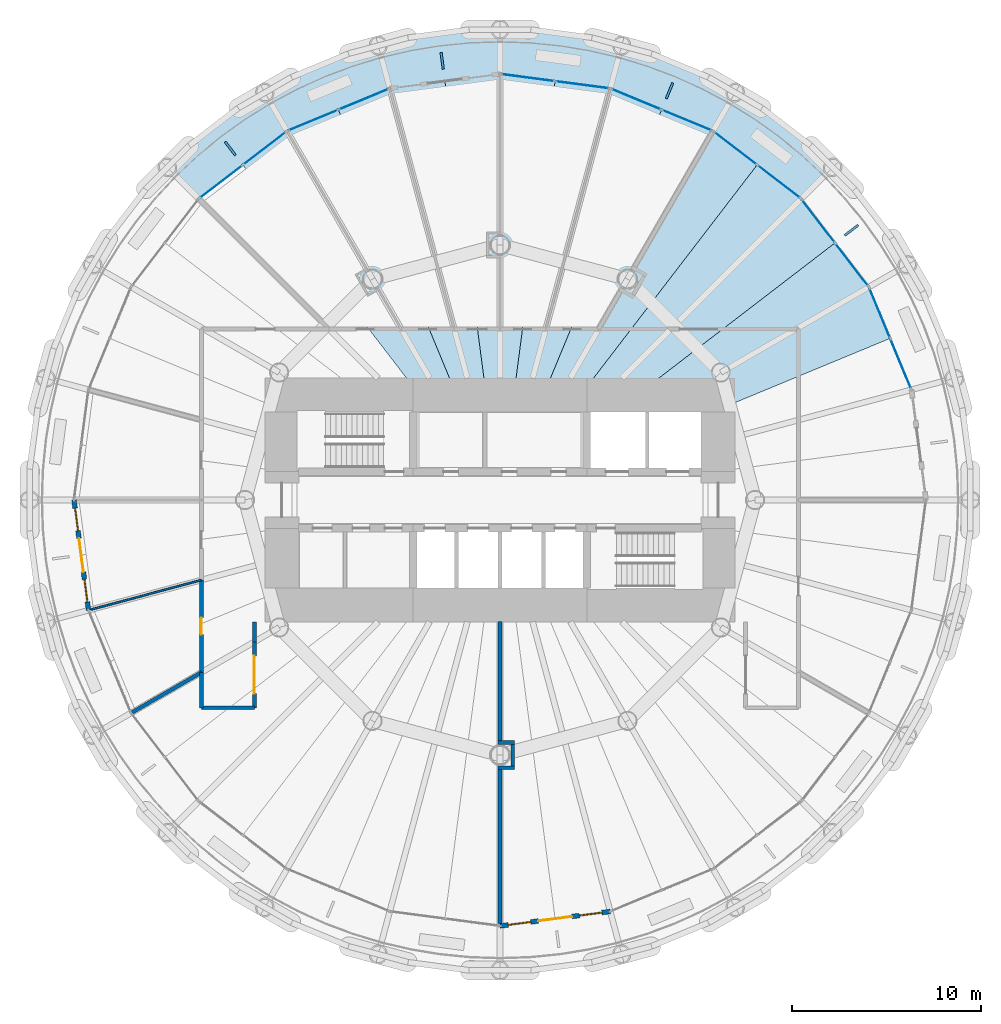
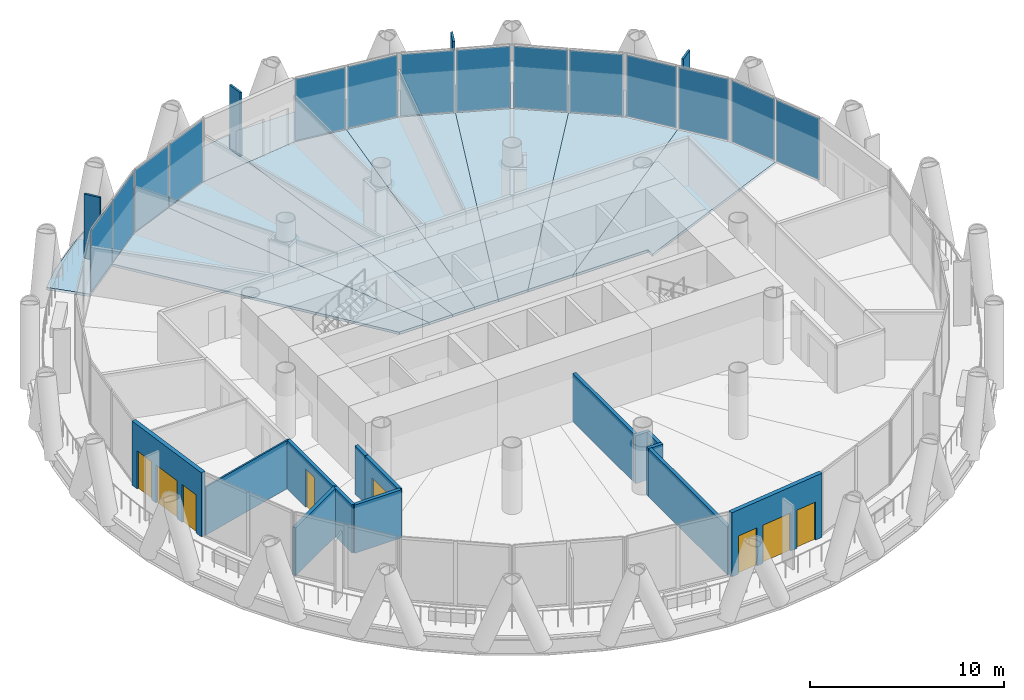
# One storey, part 9 of 16: 18 plates, 14 walls, 8 slabs, 4 doors, 4 windows, 8 openings, 7 elements without a shape of their own.
"""IFC4 building model written with IfcOpenShell, lengths in metres."""

from ifc_helpers import new_model, si_unit, direction, frame, frame_2d, origin, origin_2d, place, context, subcontext, project, spatial, polyline, rectangle, outline, extrude, material, layer, layer_set, type_object, element, fill, aggregate, save


model = new_model("IFC4")

# Units and contexts
model_context = context("Model", 3, precision=1e-05, world=origin(), true_north=direction((0.0, 1.0)))
body_context = subcontext(model_context, "Body", "Model", "MODEL_VIEW")
ifc_project = project(units=[si_unit("LENGTHUNIT", "METRE"), si_unit("AREAUNIT", "SQUARE_METRE"), si_unit("VOLUMEUNIT", "CUBIC_METRE"), si_unit("PLANEANGLEUNIT", "RADIAN"), si_unit("MASSUNIT", "GRAM", prefix="KILO")], contexts=[model_context])

# Site, building, storey
site_placement = place(None, origin())
site = spatial("IfcSite", under=ifc_project, at=site_placement, CompositionType="ELEMENT")
building_placement = place(site_placement, origin())
building = spatial("IfcBuilding", under=site, at=building_placement, Name="Qaws Media Tower", CompositionType="ELEMENT")
storey_placement = place(building_placement, frame((0.0, 0.0, 139.39990234375)))
storey = spatial("IfcBuildingStorey", under=building, at=storey_placement, Name="L31", CompositionType="ELEMENT", Elevation=139.39990234375)

# Slabs
ifc_material_1 = material(Name="Concrete C35/45", Category="concrete")
ifc_layer_1 = layer(ifc_material_1, 0.159912109375)
ifc_layer_set_1 = layer_set([ifc_layer_1], Name="Composite balcony slab 160")
slab_type_1 = type_object("IfcSlabType", Name="Composite balcony slab 160", PredefinedType="FLOOR", material=ifc_layer_set_1)
slab_1_placement = place(storey_placement, frame((0.0, 0.0, -0.159912109375)))
element("IfcSlab", 1, at=slab_1_placement, inside=storey, type_object=slab_type_1, Name="S2 balcony slab L31 R04 to R10, movement joints on R04 and R10", PredefinedType="FLOOR", context=body_context, shape_type="SweptSolid", body=[
    extrude(outline(polyline([(43.54931640625, 68.75830078125), (46.138427734375, 70.7451171875), (48.96484375, 72.376953125), (51.97998046875, 73.6259765625), (55.132568359375, 74.470703125), (58.3681640625, 74.896484375), (61.6318359375, 74.896484375), (64.867431640625, 74.470703125), (68.02001953125, 73.6259765625), (71.03515625, 72.376953125), (73.861572265625, 70.7451171875), (76.45068359375, 68.75830078125), (77.6044921875, 67.6044921875), (75.9453125, 65.9453125), (71.27490234375, 69.52880859375), (65.83642578125, 71.781494140625), (60.0, 72.550048828125), (54.16357421875, 71.781494140625), (48.72509765625, 69.52880859375), (44.0546875, 65.9453125), (42.3955078125, 67.6044921875), (43.54931640625, 68.75830078125)])), origin(), (0.0, 0.0, 1.0), 0.159912109375),
])
ifc_material_2 = material(Name="Concrete C35/45", Category="concrete")
ifc_layer_2 = layer(ifc_material_2, 0.159912109375)
ifc_layer_set_2 = layer_set([ifc_layer_2], Name="Composite floor slab 160")
slab_type_2 = type_object("IfcSlabType", Name="Composite floor slab 160", PredefinedType="FLOOR", material=ifc_layer_set_2)
slab_2_placement = place(storey_placement, frame((0.0, 0.0, -0.159912109375)))
element("IfcSlab", 2, at=slab_2_placement, inside=storey, type_object=slab_type_2, Name="S1 floor panel L31 on R03", PredefinedType="FLOOR", context=body_context, shape_type="SweptSolid", body=[
    extrude(outline(polyline([(79.52880859375, 61.27490234375), (80.6552734375, 58.5556640625), (71.0, 54.556396484375), (71.0, 55.0), (66.51611328125, 55.0), (77.737060546875, 63.610107421875), (79.52880859375, 61.27490234375)])), origin(), (0.0, 0.0, 1.0), 0.159912109375),
])
slab_3_placement = place(storey_placement, frame((0.0, 0.0, -0.159912109375)))
element("IfcSlab", 3, at=slab_3_placement, inside=storey, type_object=slab_type_2, Name="S1 floor panel L31 on R04", PredefinedType="FLOOR", context=body_context, shape_type="SweptSolid", body=[
    extrude(outline(polyline([(75.9453125, 65.9453125), (77.737060546875, 63.610107421875), (66.51611328125, 55.0), (63.836669921875, 55.0), (73.610107421875, 67.737060546875), (75.9453125, 65.9453125)])), origin(), (0.0, 0.0, 1.0), 0.159912109375),
])
slab_4_placement = place(storey_placement, frame((0.0, 0.0, -0.159912109375)))
element("IfcSlab", 4, at=slab_4_placement, inside=storey, type_object=slab_type_2, Name="S1 floor panel L31 on R05", PredefinedType="FLOOR", context=body_context, shape_type="SweptSolid", body=[
    extrude(outline(polyline([(71.27490234375, 69.52880859375), (73.610107421875, 67.737060546875), (63.836669921875, 55.0), (62.071044921875, 55.0), (68.5556640625, 70.6552734375), (71.27490234375, 69.52880859375)])), origin(), (0.0, 0.0, 1.0), 0.159912109375),
])
slab_5_placement = place(storey_placement, frame((0.0, 0.0, -0.159912109375)))
element("IfcSlab", 5, at=slab_5_placement, inside=storey, type_object=slab_type_2, Name="S1 floor panel L31 on R06", PredefinedType="FLOOR", context=body_context, shape_type="SweptSolid", body=[
    extrude(outline(polyline([(65.83642578125, 71.781494140625), (68.5556640625, 70.6552734375), (62.071044921875, 55.0), (60.658203125, 55.0), (62.918212890625, 72.165771484375), (65.83642578125, 71.781494140625)])), origin(), (0.0, 0.0, 1.0), 0.159912109375),
])
slab_6_placement = place(storey_placement, frame((0.0, 0.0, -0.159912109375)))
element("IfcSlab", 6, at=slab_6_placement, inside=storey, type_object=slab_type_2, Name="S1 floor panel L31 on R07", PredefinedType="FLOOR", context=body_context, shape_type="SweptSolid", body=[
    extrude(outline(polyline([(60.0, 72.550048828125), (62.918212890625, 72.165771484375), (60.658203125, 55.0), (59.341796875, 55.0), (57.081787109375, 72.165771484375), (60.0, 72.550048828125)])), origin(), (0.0, 0.0, 1.0), 0.159912109375),
])
slab_7_placement = place(storey_placement, frame((0.0, 0.0, -0.159912109375)))
element("IfcSlab", 7, at=slab_7_placement, inside=storey, type_object=slab_type_2, Name="S1 floor panel L31 on R08", PredefinedType="FLOOR", context=body_context, shape_type="SweptSolid", body=[
    extrude(outline(polyline([(54.16357421875, 71.781494140625), (57.081787109375, 72.165771484375), (59.341796875, 55.0), (57.928955078125, 55.0), (51.4443359375, 70.6552734375), (54.16357421875, 71.781494140625)])), origin(), (0.0, 0.0, 1.0), 0.159912109375),
])
slab_8_placement = place(storey_placement, frame((0.0, 0.0, -0.159912109375)))
element("IfcSlab", 8, at=slab_8_placement, inside=storey, type_object=slab_type_2, Name="S1 floor panel L31 on R09", PredefinedType="FLOOR", context=body_context, shape_type="SweptSolid", body=[
    extrude(outline(polyline([(48.72509765625, 69.52880859375), (51.4443359375, 70.6552734375), (57.928955078125, 55.0), (56.163330078125, 55.0), (46.389892578125, 67.737060546875), (48.72509765625, 69.52880859375)])), origin(), (0.0, 0.0, 1.0), 0.159912109375),
])

# Curtain wall, plates
ifc_material_3 = material(Name="Aluminium and clear glass", Category="aluminium")
curtain_wall_type = type_object("IfcCurtainWallType", Name="Unitised curtain wall CW-B", PredefinedType="NOTDEFINED", material=ifc_material_3)
curtain_wall_1_placement = place(storey_placement, origin())
curtain_wall_1 = element("IfcCurtainWall", 9, at=curtain_wall_1_placement, inside=storey, type_object=curtain_wall_type, Name="CWB curtain wall L31-02", PredefinedType="NOTDEFINED")
ifc_material_4 = material(Name="Clear laminated double glazing", Category="glass")
ifc_layer_3 = layer(ifc_material_4, 0.031982421875)
ifc_layer_set_3 = layer_set([ifc_layer_3], Name="Curtain wall glass unit 32")
plate_type_1 = type_object("IfcPlateType", Name="Curtain wall glass unit 32", PredefinedType="CURTAIN_PANEL", material=ifc_layer_set_3)
plate_1_placement = place(storey_placement, frame((81.210693359375, 57.214599609375, 0.080078125), z_axis=(0.0, 0.0, 1.0), x_axis=(-0.382683327828, 0.923879575812, 0.0)))
plate_1 = element("IfcPlate", 10, at=plate_1_placement, type_object=plate_type_1, Name="CWB panel 1.1", PredefinedType="CURTAIN_PANEL", context=body_context, shape_type="SweptSolid", body=[
    extrude(rectangle(XDim=2.823486328125, YDim=0.031982421875, at=origin_2d()), origin(), (0.0, 0.0, 1.0), 3.8798828125),
])
plate_2_placement = place(storey_placement, frame((80.099609375, 59.89697265625, 0.080078125), z_axis=(0.0, 0.0, 1.0), x_axis=(-0.382683327828, 0.923879575812, 0.0)))
plate_2 = element("IfcPlate", 11, at=plate_2_placement, type_object=plate_type_1, Name="CWB panel 2.1", PredefinedType="CURTAIN_PANEL", context=body_context, shape_type="SweptSolid", body=[
    extrude(rectangle(XDim=2.823486328125, YDim=0.031982421875, at=origin_2d()), origin(), (0.0, 0.0, 1.0), 3.8798828125),
])
aggregate(curtain_wall_1, [plate_1, plate_2])

curtain_wall_2_placement = place(storey_placement, origin())
curtain_wall_2 = element("IfcCurtainWall", 12, at=curtain_wall_2_placement, inside=storey, type_object=curtain_wall_type, Name="CWB curtain wall L31-03", PredefinedType="NOTDEFINED")
plate_3_placement = place(storey_placement, frame((78.620849609375, 62.45849609375, 0.080078125), z_axis=(0.0, 0.0, 1.0), x_axis=(-0.608761428552, 0.793353340642, 0.0)))
plate_3 = element("IfcPlate", 13, at=plate_3_placement, type_object=plate_type_1, Name="CWB panel 1.1", PredefinedType="CURTAIN_PANEL", context=body_context, shape_type="SweptSolid", body=[
    extrude(rectangle(XDim=2.823486328125, YDim=0.031982421875, at=origin_2d()), origin(), (0.0, 0.0, 1.0), 3.8798828125),
])
plate_4_placement = place(storey_placement, frame((76.853271484375, 64.76171875, 0.080078125), z_axis=(0.0, 0.0, 1.0), x_axis=(-0.608761428552, 0.793353340642, 0.0)))
plate_4 = element("IfcPlate", 14, at=plate_4_placement, type_object=plate_type_1, Name="CWB panel 2.1", PredefinedType="CURTAIN_PANEL", context=body_context, shape_type="SweptSolid", body=[
    extrude(rectangle(XDim=2.823486328125, YDim=0.031982421875, at=origin_2d()), origin(), (0.0, 0.0, 1.0), 3.8798828125),
])
aggregate(curtain_wall_2, [plate_3, plate_4])

curtain_wall_3_placement = place(storey_placement, origin())
curtain_wall_3 = element("IfcCurtainWall", 15, at=curtain_wall_3_placement, inside=storey, type_object=curtain_wall_type, Name="CWB curtain wall L31-04", PredefinedType="NOTDEFINED")
plate_5_placement = place(storey_placement, frame((74.76171875, 66.853271484375, 0.080078125), z_axis=(0.0, 0.0, 1.0), x_axis=(-0.793353340642, 0.608761428552, 0.0)))
plate_5 = element("IfcPlate", 16, at=plate_5_placement, type_object=plate_type_1, Name="CWB panel 1.1", PredefinedType="CURTAIN_PANEL", context=body_context, shape_type="SweptSolid", body=[
    extrude(rectangle(XDim=2.823486328125, YDim=0.031982421875, at=origin_2d()), origin(), (0.0, 0.0, 1.0), 3.8798828125),
])
plate_6_placement = place(storey_placement, frame((72.45849609375, 68.620849609375, 0.080078125), z_axis=(0.0, 0.0, 1.0), x_axis=(-0.793353340642, 0.608761428552, 0.0)))
plate_6 = element("IfcPlate", 17, at=plate_6_placement, type_object=plate_type_1, Name="CWB panel 2.1", PredefinedType="CURTAIN_PANEL", context=body_context, shape_type="SweptSolid", body=[
    extrude(rectangle(XDim=2.823486328125, YDim=0.031982421875, at=origin_2d()), origin(), (0.0, 0.0, 1.0), 3.8798828125),
])
aggregate(curtain_wall_3, [plate_5, plate_6])

curtain_wall_4_placement = place(storey_placement, origin())
curtain_wall_4 = element("IfcCurtainWall", 18, at=curtain_wall_4_placement, inside=storey, type_object=curtain_wall_type, Name="CWB curtain wall L31-05", PredefinedType="NOTDEFINED")
plate_7_placement = place(storey_placement, frame((69.89697265625, 70.099609375, 0.080078125), z_axis=(0.0, 0.0, 1.0), x_axis=(-0.923879575812, 0.382683327828, 0.0)))
plate_7 = element("IfcPlate", 19, at=plate_7_placement, type_object=plate_type_1, Name="CWB panel 1.1", PredefinedType="CURTAIN_PANEL", context=body_context, shape_type="SweptSolid", body=[
    extrude(rectangle(XDim=2.823486328125, YDim=0.031982421875, at=origin_2d()), origin(), (0.0, 0.0, 1.0), 3.8798828125),
])
plate_8_placement = place(storey_placement, frame((67.214599609375, 71.210693359375, 0.080078125), z_axis=(0.0, 0.0, 1.0), x_axis=(-0.923879575812, 0.382683327828, 0.0)))
plate_8 = element("IfcPlate", 20, at=plate_8_placement, type_object=plate_type_1, Name="CWB panel 2.1", PredefinedType="CURTAIN_PANEL", context=body_context, shape_type="SweptSolid", body=[
    extrude(rectangle(XDim=2.823486328125, YDim=0.031982421875, at=origin_2d()), origin(), (0.0, 0.0, 1.0), 3.8798828125),
])
aggregate(curtain_wall_4, [plate_7, plate_8])

curtain_wall_5_placement = place(storey_placement, origin())
curtain_wall_5 = element("IfcCurtainWall", 21, at=curtain_wall_5_placement, inside=storey, type_object=curtain_wall_type, Name="CWB curtain wall L31-06", PredefinedType="NOTDEFINED")
plate_9_placement = place(storey_placement, frame((64.357421875, 71.976318359375, 0.080078125), z_axis=(0.0, 0.0, 1.0), x_axis=(-0.991444851608, 0.130526266402, 0.0)))
plate_9 = element("IfcPlate", 22, at=plate_9_placement, type_object=plate_type_1, Name="CWB panel 1.1", PredefinedType="CURTAIN_PANEL", context=body_context, shape_type="SweptSolid", body=[
    extrude(rectangle(XDim=2.823486328125, YDim=0.031982421875, at=origin_2d()), origin(), (0.0, 0.0, 1.0), 3.8798828125),
])
plate_10_placement = place(storey_placement, frame((61.47900390625, 72.355224609375, 0.080078125), z_axis=(0.0, 0.0, 1.0), x_axis=(-0.991444851608, 0.130526266402, 0.0)))
plate_10 = element("IfcPlate", 23, at=plate_10_placement, type_object=plate_type_1, Name="CWB panel 2.1", PredefinedType="CURTAIN_PANEL", context=body_context, shape_type="SweptSolid", body=[
    extrude(rectangle(XDim=2.823486328125, YDim=0.031982421875, at=origin_2d()), origin(), (0.0, 0.0, 1.0), 3.8798828125),
])
aggregate(curtain_wall_5, [plate_9, plate_10])

curtain_wall_6_placement = place(storey_placement, origin())
curtain_wall_6 = element("IfcCurtainWall", 24, at=curtain_wall_6_placement, inside=storey, type_object=curtain_wall_type, Name="CWB curtain wall L31-08", PredefinedType="NOTDEFINED")
plate_11_placement = place(storey_placement, frame((52.785400390625, 71.210693359375, 0.080078125), z_axis=(0.0, 0.0, 1.0), x_axis=(-0.923879575812, -0.382683327828, 0.0)))
plate_11 = element("IfcPlate", 25, at=plate_11_placement, type_object=plate_type_1, Name="CWB panel 1.1", PredefinedType="CURTAIN_PANEL", context=body_context, shape_type="SweptSolid", body=[
    extrude(rectangle(XDim=2.823486328125, YDim=0.031982421875, at=origin_2d()), origin(), (0.0, 0.0, 1.0), 3.8798828125),
])
plate_12_placement = place(storey_placement, frame((50.10302734375, 70.099609375, 0.080078125), z_axis=(0.0, 0.0, 1.0), x_axis=(-0.923879575812, -0.382683327828, 0.0)))
plate_12 = element("IfcPlate", 26, at=plate_12_placement, type_object=plate_type_1, Name="CWB panel 2.1", PredefinedType="CURTAIN_PANEL", context=body_context, shape_type="SweptSolid", body=[
    extrude(rectangle(XDim=2.823486328125, YDim=0.031982421875, at=origin_2d()), origin(), (0.0, 0.0, 1.0), 3.8798828125),
])
aggregate(curtain_wall_6, [plate_11, plate_12])

curtain_wall_7_placement = place(storey_placement, origin())
curtain_wall_7 = element("IfcCurtainWall", 27, at=curtain_wall_7_placement, inside=storey, type_object=curtain_wall_type, Name="CWB curtain wall L31-09", PredefinedType="NOTDEFINED")
plate_13_placement = place(storey_placement, frame((47.54150390625, 68.620849609375, 0.080078125), z_axis=(0.0, 0.0, 1.0), x_axis=(-0.793353340642, -0.608761428552, 0.0)))
plate_13 = element("IfcPlate", 28, at=plate_13_placement, type_object=plate_type_1, Name="CWB panel 1.1", PredefinedType="CURTAIN_PANEL", context=body_context, shape_type="SweptSolid", body=[
    extrude(rectangle(XDim=2.823486328125, YDim=0.031982421875, at=origin_2d()), origin(), (0.0, 0.0, 1.0), 3.8798828125),
])
plate_14_placement = place(storey_placement, frame((45.23828125, 66.853271484375, 0.080078125), z_axis=(0.0, 0.0, 1.0), x_axis=(-0.793353340642, -0.608761428552, 0.0)))
plate_14 = element("IfcPlate", 29, at=plate_14_placement, type_object=plate_type_1, Name="CWB panel 2.1", PredefinedType="CURTAIN_PANEL", context=body_context, shape_type="SweptSolid", body=[
    extrude(rectangle(XDim=2.823486328125, YDim=0.031982421875, at=origin_2d()), origin(), (0.0, 0.0, 1.0), 3.8798828125),
])
aggregate(curtain_wall_7, [plate_13, plate_14])

# Plates
ifc_material_5 = material(Name="Precast concrete screen fin", Category="concrete")
ifc_layer_4 = layer(ifc_material_5, 0.1201171875)
ifc_layer_set_4 = layer_set([ifc_layer_4], Name="Screen fin 120x900")
plate_type_2 = type_object("IfcPlateType", Name="Screen fin 120x900", PredefinedType="USERDEFINED", material=ifc_layer_set_4)
for number, where, z_axis, x_axis, name in (
    (30, (78.604248046875, 64.275390625, 0.0), (0.0, 0.0, 1.0), (0.793353340291, 0.608761429009, 0.0), "SCR1 screen fin L31-02"),
    (31, (68.973876953125, 71.6650390625, 0.0), (0.0, 0.0, 1.0), (0.382683432365, 0.923879532511, 0.0), "SCR1 screen fin L31-03"),
    (32, (56.939208984375, 73.249267578125, 0.0), (0.0, 0.0, 1.0), (-0.13052619222, 0.991444861374, 0.0), "SCR1 screen fin L31-04"),
    (33, (45.724609375, 68.604248046875, 0.0), (0.0, 0.0, 1.0), (-0.608761429009, 0.793353340291, 0.0), "SCR1 screen fin L31-05"),
):
    element("IfcPlate", number, at=place(storey_placement, frame(where, z_axis=z_axis, x_axis=x_axis)), inside=storey, type_object=plate_type_2, Name=name, ObjectType="SCREEN", PredefinedType="USERDEFINED", context=body_context, shape_type="SweptSolid", body=[
        extrude(rectangle(XDim=0.89990234375, YDim=0.1201171875, at=origin_2d()), origin(), (0.0, 0.0, 1.0), 4.0400390625),
    ])

# Wall, openings, door, windows
ifc_material_6 = material(Name="Precast concrete, exposed finish", Category="concrete")
ifc_layer_5 = layer(ifc_material_6, 0.25)
ifc_layer_set_5 = layer_set([ifc_layer_5], Name="Balcony door wall 250")
wall_type_1 = type_object("IfcWallType", Name="Balcony door wall 250", PredefinedType="SOLIDWALL", material=ifc_layer_set_5)
wall_1_placement = place(storey_placement, frame((37.449951171875, 50.0, 0.0), z_axis=(0.0, 0.0, 1.0), x_axis=(0.130514589873, -0.991446388783, 0.0)))
wall_1 = element("IfcWall", 34, at=wall_1_placement, inside=storey, type_object=wall_type_1, Name="W190 EW1 balcony door wall L31-13", PredefinedType="SOLIDWALL", context=body_context, shape_type="SweptSolid", body=[
    extrude(rectangle(XDim=5.88671875, YDim=0.25, at=frame_2d((2.943359375, 0.0))), origin(), (0.0, 0.0, 1.0), 4.0400390625),
])
opening_1_placement = place(wall_1_placement, frame((2.04345703125, 0.0, 0.0)))
opening_1 = element("IfcOpeningElement", 35, at=opening_1_placement, cuts=wall_1, Name="Opening D7", PredefinedType="OPENING", context=body_context, shape_type="SweptSolid", body=[
    extrude(rectangle(XDim=1.800048828125, YDim=2.39990234375, at=frame_2d((0.89990234375, 1.199951171875))), frame((0.0, 0.135009765625, 0.0), z_axis=(0.0, -1.0, 0.0), x_axis=(1.0, 0.0, 0.0)), (0.0, 0.0, 1.0), 0.27001953125),
])
opening_2_placement = place(wall_1_placement, frame((0.443359375, 0.0, 0.0)))
opening_2 = element("IfcOpeningElement", 36, at=opening_2_placement, cuts=wall_1, Name="Opening W1", PredefinedType="OPENING", context=body_context, shape_type="SweptSolid", body=[
    extrude(rectangle(XDim=1.199951171875, YDim=2.39990234375, at=frame_2d((0.60009765625, 1.199951171875))), frame((0.0, 0.135009765625, 0.0), z_axis=(0.0, -1.0, 0.0), x_axis=(1.0, 0.0, 0.0)), (0.0, 0.0, 1.0), 0.27001953125),
])
opening_3_placement = place(wall_1_placement, frame((4.243408203125, 0.0, 0.0)))
opening_3 = element("IfcOpeningElement", 37, at=opening_3_placement, cuts=wall_1, Name="Opening W1", PredefinedType="OPENING", context=body_context, shape_type="SweptSolid", body=[
    extrude(rectangle(XDim=1.199951171875, YDim=2.39990234375, at=frame_2d((0.60009765625, 1.199951171875))), frame((0.0, 0.135009765625, 0.0), z_axis=(0.0, -1.0, 0.0), x_axis=(1.0, 0.0, 0.0)), (0.0, 0.0, 1.0), 0.27001953125),
])
ifc_material_7 = material(Name="Aluminium and clear glass", Category="aluminium")
door_type_1 = type_object("IfcDoorType", Name="Balcony door pair 1800", OperationType="DOUBLE_DOOR_SLIDING", PredefinedType="DOOR", material=ifc_material_7)
door_1_placement = place(opening_1_placement, origin())
door_1 = element("IfcDoor", 38, at=door_1_placement, inside=storey, type_object=door_type_1, Name="D7 balcony door L31-13 in wall W190", OperationType="DOUBLE_DOOR_SLIDING", OverallHeight=2.39990234375, OverallWidth=1.800048828125, PredefinedType="DOOR", context=body_context, shape_type="SweptSolid", body=[
    extrude(rectangle(XDim=1.800048828125, YDim=2.39990234375, at=frame_2d((0.89990234375, 1.199951171875))), frame((0.0, 0.02490234375, 0.0), z_axis=(0.0, -1.0, 0.0), x_axis=(1.0, 0.0, 0.0)), (0.0, 0.0, 1.0), 0.050048828125),
])
fill(opening_1, door_1)
ifc_material_8 = material(Name="Aluminium and clear glass", Category="aluminium")
window_type = type_object("IfcWindowType", Name="Balcony side window 1200", PartitioningType="SINGLE_PANEL", PredefinedType="WINDOW", material=ifc_material_8)
window_1_placement = place(opening_2_placement, origin())
window_1 = element("IfcWindow", 39, at=window_1_placement, inside=storey, type_object=window_type, Name="W1 balcony side light L31-13L", OverallHeight=2.39990234375, OverallWidth=1.199951171875, PartitioningType="SINGLE_PANEL", PredefinedType="WINDOW", context=body_context, shape_type="SweptSolid", body=[
    extrude(rectangle(XDim=1.199951171875, YDim=2.39990234375, at=frame_2d((0.60009765625, 1.199951171875))), frame((0.0, 0.030029296875, 0.0), z_axis=(0.0, -1.0, 0.0), x_axis=(1.0, 0.0, 0.0)), (0.0, 0.0, 1.0), 0.06005859375),
])
fill(opening_2, window_1)
window_2_placement = place(opening_3_placement, origin())
window_2 = element("IfcWindow", 40, at=window_2_placement, inside=storey, type_object=window_type, Name="W1 balcony side light L31-13R", OverallHeight=2.39990234375, OverallWidth=1.199951171875, PartitioningType="SINGLE_PANEL", PredefinedType="WINDOW", context=body_context, shape_type="SweptSolid", body=[
    extrude(rectangle(XDim=1.199951171875, YDim=2.39990234375, at=frame_2d((0.60009765625, 1.199951171875))), frame((0.0, 0.030029296875, 0.0), z_axis=(0.0, -1.0, 0.0), x_axis=(1.0, 0.0, 0.0)), (0.0, 0.0, 1.0), 0.06005859375),
])
fill(opening_3, window_2)

wall_2_placement = place(storey_placement, frame((60.0, 27.449951171875, 0.0), z_axis=(0.0, 0.0, 1.0), x_axis=(0.991446388783, 0.130514589873, 0.0)))
wall_2 = element("IfcWall", 41, at=wall_2_placement, inside=storey, type_object=wall_type_1, Name="W191 EW1 balcony door wall L31-19", PredefinedType="SOLIDWALL", context=body_context, shape_type="SweptSolid", body=[
    extrude(rectangle(XDim=5.88671875, YDim=0.25, at=frame_2d((2.943359375, 0.0))), origin(), (0.0, 0.0, 1.0), 4.0400390625),
])
opening_4_placement = place(wall_2_placement, frame((2.04345703125, 0.0, 0.0)))
opening_4 = element("IfcOpeningElement", 42, at=opening_4_placement, cuts=wall_2, Name="Opening D7", PredefinedType="OPENING", context=body_context, shape_type="SweptSolid", body=[
    extrude(rectangle(XDim=1.800048828125, YDim=2.39990234375, at=frame_2d((0.89990234375, 1.199951171875))), frame((0.0, 0.135009765625, 0.0), z_axis=(0.0, -1.0, 0.0), x_axis=(1.0, 0.0, 0.0)), (0.0, 0.0, 1.0), 0.27001953125),
])
opening_5_placement = place(wall_2_placement, frame((0.443359375, 0.0, 0.0)))
opening_5 = element("IfcOpeningElement", 43, at=opening_5_placement, cuts=wall_2, Name="Opening W1", PredefinedType="OPENING", context=body_context, shape_type="SweptSolid", body=[
    extrude(rectangle(XDim=1.199951171875, YDim=2.39990234375, at=frame_2d((0.60009765625, 1.199951171875))), frame((0.0, 0.135009765625, 0.0), z_axis=(0.0, -1.0, 0.0), x_axis=(1.0, 0.0, 0.0)), (0.0, 0.0, 1.0), 0.27001953125),
])
opening_6_placement = place(wall_2_placement, frame((4.243408203125, 0.0, 0.0)))
opening_6 = element("IfcOpeningElement", 44, at=opening_6_placement, cuts=wall_2, Name="Opening W1", PredefinedType="OPENING", context=body_context, shape_type="SweptSolid", body=[
    extrude(rectangle(XDim=1.199951171875, YDim=2.39990234375, at=frame_2d((0.60009765625, 1.199951171875))), frame((0.0, 0.135009765625, 0.0), z_axis=(0.0, -1.0, 0.0), x_axis=(1.0, 0.0, 0.0)), (0.0, 0.0, 1.0), 0.27001953125),
])
door_2_placement = place(opening_4_placement, origin())
door_2 = element("IfcDoor", 45, at=door_2_placement, inside=storey, type_object=door_type_1, Name="D7 balcony door L31-19 in wall W191", OperationType="DOUBLE_DOOR_SLIDING", OverallHeight=2.39990234375, OverallWidth=1.800048828125, PredefinedType="DOOR", context=body_context, shape_type="SweptSolid", body=[
    extrude(rectangle(XDim=1.800048828125, YDim=2.39990234375, at=frame_2d((0.89990234375, 1.199951171875))), frame((0.0, 0.02490234375, 0.0), z_axis=(0.0, -1.0, 0.0), x_axis=(1.0, 0.0, 0.0)), (0.0, 0.0, 1.0), 0.050048828125),
])
fill(opening_4, door_2)
window_3_placement = place(opening_5_placement, origin())
window_3 = element("IfcWindow", 46, at=window_3_placement, inside=storey, type_object=window_type, Name="W1 balcony side light L31-19L", OverallHeight=2.39990234375, OverallWidth=1.199951171875, PartitioningType="SINGLE_PANEL", PredefinedType="WINDOW", context=body_context, shape_type="SweptSolid", body=[
    extrude(rectangle(XDim=1.199951171875, YDim=2.39990234375, at=frame_2d((0.60009765625, 1.199951171875))), frame((0.0, 0.030029296875, 0.0), z_axis=(0.0, -1.0, 0.0), x_axis=(1.0, 0.0, 0.0)), (0.0, 0.0, 1.0), 0.06005859375),
])
fill(opening_5, window_3)
window_4_placement = place(opening_6_placement, origin())
window_4 = element("IfcWindow", 47, at=window_4_placement, inside=storey, type_object=window_type, Name="W1 balcony side light L31-19R", OverallHeight=2.39990234375, OverallWidth=1.199951171875, PartitioningType="SINGLE_PANEL", PredefinedType="WINDOW", context=body_context, shape_type="SweptSolid", body=[
    extrude(rectangle(XDim=1.199951171875, YDim=2.39990234375, at=frame_2d((0.60009765625, 1.199951171875))), frame((0.0, 0.030029296875, 0.0), z_axis=(0.0, -1.0, 0.0), x_axis=(1.0, 0.0, 0.0)), (0.0, 0.0, 1.0), 0.06005859375),
])
fill(opening_6, window_4)

# Walls
ifc_material_9 = material(Name="Gypsum board on 70 metal studs, single layer each side", Category="gypsum")
ifc_layer_6 = layer(ifc_material_9, 0.10009765625)
ifc_layer_set_6 = layer_set([ifc_layer_6], Name="Office stud partition 100")
wall_type_2 = type_object("IfcWallType", Name="Office stud partition 100", PredefinedType="PARTITIONING", material=ifc_layer_set_6)
wall_3_placement = place(storey_placement, frame((44.197509765625, 45.765625, 0.0), z_axis=(0.0, 0.0, 1.0), x_axis=(-0.965934903345, -0.258785166694, 0.0)))
element("IfcWall", 48, at=wall_3_placement, inside=storey, type_object=wall_type_2, Name="W676 IW4 partition L31", PredefinedType="PARTITIONING", context=body_context, shape_type="SweptSolid", body=[
    extrude(rectangle(XDim=6.050048828125, YDim=0.10009765625, at=frame_2d((3.02490234375, 0.0))), origin(), (0.0, 0.0, 1.0), 3.0400390625),
])
ifc_material_10 = material(Name="Gypsum board on galvanised metal studs, acoustic double stud, deflection head", Category="gypsum")
ifc_layer_7 = layer(ifc_material_10, 0.199951171875)
ifc_layer_set_7 = layer_set([ifc_layer_7], Name="Room partition 200")
wall_type_3 = type_object("IfcWallType", Name="Room partition 200", PredefinedType="PARTITIONING", material=ifc_layer_set_7)
wall_4_placement = place(storey_placement, frame((47.0, 43.550048828125, 0.0), z_axis=(0.0, 0.0, 1.0), x_axis=(0.0, -1.0, 0.0)))
element("IfcWall", 49, at=wall_4_placement, inside=storey, type_object=wall_type_3, Name="W1224 IW3 partition L31", PredefinedType="PARTITIONING", context=body_context, shape_type="SweptSolid", body=[
    extrude(rectangle(XDim=1.0556640625, YDim=0.199951171875, at=frame_2d((0.52783203125, 0.0))), origin(), (0.0, 0.0, 1.0), 3.0400390625),
])

# Wall, opening, door
wall_5_placement = place(storey_placement, frame((47.0, 42.494384765625, 0.0), z_axis=(0.0, 0.0, 1.0), x_axis=(0.0, -1.0, 0.0)))
wall_5 = element("IfcWall", 50, at=wall_5_placement, inside=storey, type_object=wall_type_3, Name="W1223 IW3 partition L31", PredefinedType="PARTITIONING", context=body_context, shape_type="SweptSolid", body=[
    extrude(rectangle(XDim=3.494384765625, YDim=0.199951171875, at=frame_2d((1.7470703125, 0.0))), origin(), (0.0, 0.0, 1.0), 3.0400390625),
])
opening_7_placement = place(wall_5_placement, frame((0.747314453125, 0.0, 0.0)))
opening_7 = element("IfcOpeningElement", 51, at=opening_7_placement, cuts=wall_5, Name="Opening D6", PredefinedType="OPENING", context=body_context, shape_type="SweptSolid", body=[
    extrude(rectangle(XDim=2.0, YDim=2.10009765625, at=frame_2d((1.0, 1.050048828125))), frame((0.0, 0.10986328125, 0.0), z_axis=(0.0, -1.0, 0.0), x_axis=(1.0, 0.0, 0.0)), (0.0, 0.0, 1.0), 0.219970703125),
])
ifc_material_11 = material(Name="Steel, acoustic, fire rated", Category="steel")
door_type_2 = type_object("IfcDoorType", Name="Room door pair 2000", OperationType="DOUBLE_DOOR_DOUBLE_SWING", PredefinedType="DOOR", material=ifc_material_11)
door_3_placement = place(opening_7_placement, origin())
door_3 = element("IfcDoor", 52, at=door_3_placement, inside=storey, type_object=door_type_2, Name="D6 Paralegal office door L31 in wall W1223", OperationType="DOUBLE_DOOR_DOUBLE_SWING", OverallHeight=2.10009765625, OverallWidth=2.0, PredefinedType="DOOR", context=body_context, shape_type="SweptSolid", body=[
    extrude(rectangle(XDim=2.0, YDim=2.10009765625, at=frame_2d((1.0, 1.050048828125))), frame((0.0, 0.02490234375, 0.0), z_axis=(0.0, -1.0, 0.0), x_axis=(1.0, 0.0, 0.0)), (0.0, 0.0, 1.0), 0.050048828125),
])
fill(opening_7, door_3)

# Walls
wall_6_placement = place(storey_placement, frame((47.0, 39.0, 0.0), z_axis=(0.0, 0.0, 1.0), x_axis=(-1.0, 0.0, 0.0)))
element("IfcWall", 53, at=wall_6_placement, inside=storey, type_object=wall_type_3, Name="W1222 IW3 partition L31", PredefinedType="PARTITIONING", context=body_context, shape_type="SweptSolid", body=[
    extrude(rectangle(XDim=2.800048828125, YDim=0.199951171875, at=frame_2d((1.39990234375, 0.0))), origin(), (0.0, 0.0, 1.0), 3.0400390625),
])
wall_7_placement = place(storey_placement, frame((44.199951171875, 39.0, 0.0), z_axis=(0.0, 0.0, 1.0), x_axis=(0.0, 1.0, 0.0)))
element("IfcWall", 54, at=wall_7_placement, inside=storey, type_object=wall_type_3, Name="W1215 IW3 partition L31", PredefinedType="PARTITIONING", context=body_context, shape_type="SweptSolid", body=[
    extrude(rectangle(XDim=1.8779296875, YDim=0.199951171875, at=frame_2d((0.93896484375, 0.0))), origin(), (0.0, 0.0, 1.0), 3.0400390625),
])

# Wall, opening, door
wall_8_placement = place(storey_placement, frame((44.199951171875, 40.8779296875, 0.0), z_axis=(0.0, 0.0, 1.0), x_axis=(0.0, 1.0, 0.0)))
wall_8 = element("IfcWall", 55, at=wall_8_placement, inside=storey, type_object=wall_type_3, Name="W1216 IW3 partition L31", PredefinedType="PARTITIONING", context=body_context, shape_type="SweptSolid", body=[
    extrude(rectangle(XDim=4.888427734375, YDim=0.199951171875, at=frame_2d((2.4443359375, 0.0))), origin(), (0.0, 0.0, 1.0), 3.0400390625),
])
opening_8_placement = place(wall_8_placement, frame((1.994384765625, 0.0, 0.0)))
opening_8 = element("IfcOpeningElement", 56, at=opening_8_placement, cuts=wall_8, Name="Opening D12", PredefinedType="OPENING", context=body_context, shape_type="SweptSolid", body=[
    extrude(rectangle(XDim=0.89990234375, YDim=2.39990234375, at=frame_2d((0.449951171875, 1.199951171875))), frame((0.0, 0.10986328125, 0.0), z_axis=(0.0, -1.0, 0.0), x_axis=(1.0, 0.0, 0.0)), (0.0, 0.0, 1.0), 0.219970703125),
])
ifc_material_12 = material(Name="Timber veneered, full height", Category="wood")
door_type_3 = type_object("IfcDoorType", Name="Office door 900x2400", OperationType="SINGLE_SWING_LEFT", PredefinedType="DOOR", material=ifc_material_12)
door_4_placement = place(opening_8_placement, origin())
door_4 = element("IfcDoor", 57, at=door_4_placement, inside=storey, type_object=door_type_3, Name="D12 Office door L31 in wall W1216", OperationType="SINGLE_SWING_LEFT", OverallHeight=2.39990234375, OverallWidth=0.89990234375, PredefinedType="DOOR", context=body_context, shape_type="SweptSolid", body=[
    extrude(rectangle(XDim=0.89990234375, YDim=2.39990234375, at=frame_2d((0.449951171875, 1.199951171875))), frame((0.0, 0.02490234375, 0.0), z_axis=(0.0, -1.0, 0.0), x_axis=(1.0, 0.0, 0.0)), (0.0, 0.0, 1.0), 0.050048828125),
])
fill(opening_8, door_4)

# Walls
wall_9_placement = place(storey_placement, frame((44.20361328125, 40.8798828125, 0.0), z_axis=(0.0, 0.0, 1.0), x_axis=(-0.866038951244, -0.499976534377, 0.0)))
element("IfcWall", 58, at=wall_9_placement, inside=storey, type_object=wall_type_3, Name="W1301 IW3 partition L31", PredefinedType="PARTITIONING", context=body_context, shape_type="SweptSolid", body=[
    extrude(rectangle(XDim=4.269775390625, YDim=0.199951171875, at=frame_2d((2.134765625, 0.0))), origin(), (0.0, 0.0, 1.0), 3.0400390625),
])
for number, where, z_axis, x_axis, name in (
    (59, (59.89990234375, 37.16796875, 0.0), (0.0, 0.0, 1.0), (1.0, 0.0, 0.0), "W1286 IW3 partition return L31"),
    (60, (59.89990234375, 35.83203125, 0.0), (0.0, 0.0, 1.0), (1.0, 0.0, 0.0), "W1285 IW3 partition return L31"),
):
    element("IfcWall", number, at=place(storey_placement, frame(where, z_axis=z_axis, x_axis=x_axis)), inside=storey, type_object=wall_type_3, Name=name, PredefinedType="PARTITIONING", context=body_context, shape_type="SweptSolid", body=[
        extrude(rectangle(XDim=0.878173828125, YDim=0.199951171875, at=frame_2d((0.43896484375, 0.0))), origin(), (0.0, 0.0, 1.0), 3.02001953125),
    ])
wall_10_placement = place(storey_placement, frame((60.677978515625, 37.068115234375, 0.0), z_axis=(0.0, 0.0, 1.0), x_axis=(0.0, -1.0, 0.0)))
element("IfcWall", 61, at=wall_10_placement, inside=storey, type_object=wall_type_3, Name="W1290 IW3 partition return L31", PredefinedType="PARTITIONING", context=body_context, shape_type="SweptSolid", body=[
    extrude(rectangle(XDim=1.13623046875, YDim=0.199951171875, at=frame_2d((0.568115234375, 0.0))), origin(), (0.0, 0.0, 1.0), 3.02001953125),
])
wall_11_placement = place(storey_placement, frame((60.0, 43.56005859375, 0.0), z_axis=(0.0, 0.0, 1.0), x_axis=(0.0, -1.0, 0.0)))
element("IfcWall", 62, at=wall_11_placement, inside=storey, type_object=wall_type_3, Name="W1288 IW3 partition L31", PredefinedType="PARTITIONING", context=body_context, shape_type="SweptSolid", body=[
    extrude(rectangle(XDim=6.2919921875, YDim=0.199951171875, at=frame_2d((3.14599609375, 0.0))), origin(), (0.0, 0.0, 1.0), 3.0400390625),
])
wall_12_placement = place(storey_placement, frame((60.0, 35.73193359375, 0.0), z_axis=(0.0, 0.0, 1.0), x_axis=(0.0, -1.0, 0.0)))
element("IfcWall", 63, at=wall_12_placement, inside=storey, type_object=wall_type_3, Name="W1303 IW3 partition L31", PredefinedType="PARTITIONING", context=body_context, shape_type="SweptSolid", body=[
    extrude(rectangle(XDim=8.141845703125, YDim=0.199951171875, at=frame_2d((4.07080078125, 0.0))), origin(), (0.0, 0.0, 1.0), 3.0400390625),
])

save(model, "model.ifc")
